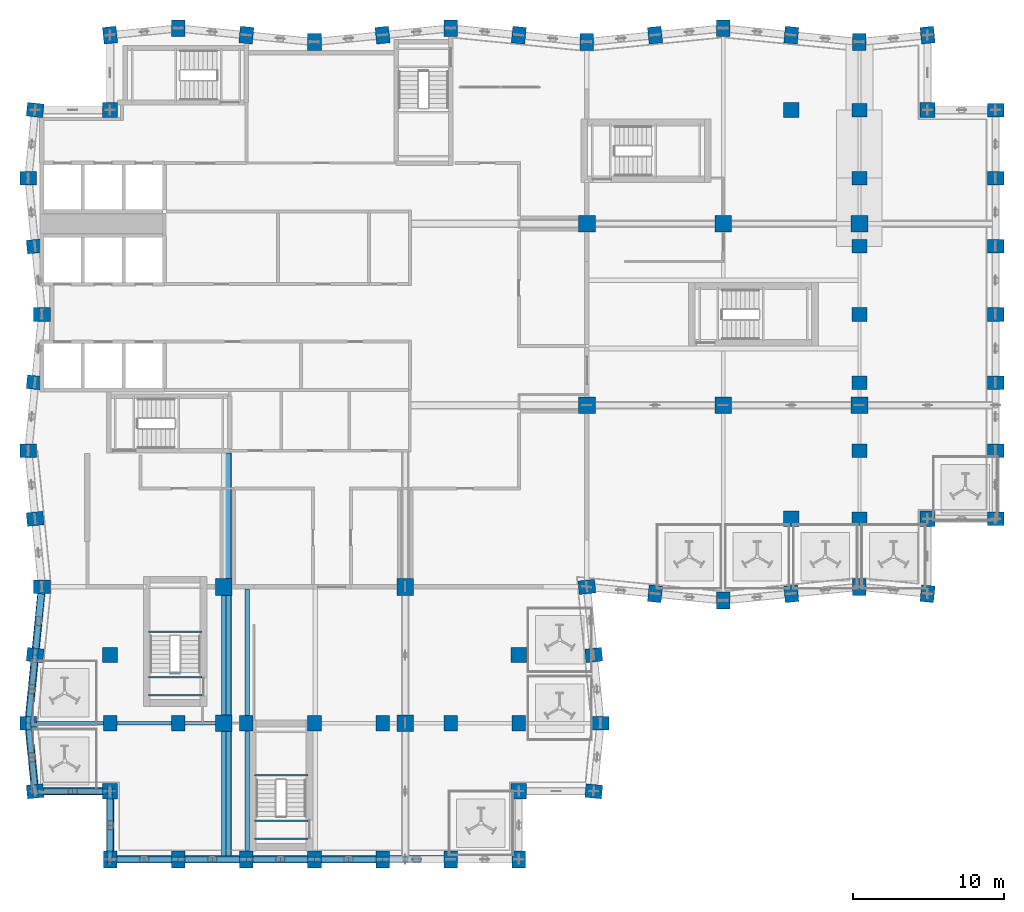
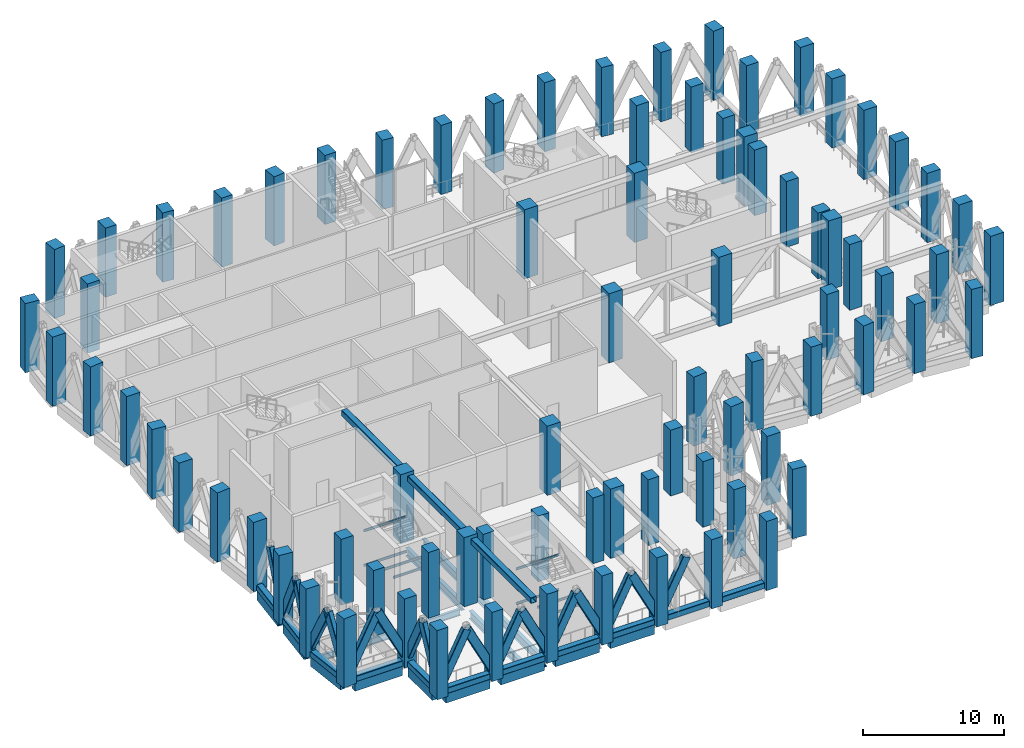
# One storey, part 1 of 28: 80 columns, 24 members, 21 beams.
"""IFC4 building model written with IfcOpenShell, lengths in metres."""

from ifc_helpers import new_model, si_unit, direction, frame, origin, origin_2d, place, context, subcontext, project, spatial, rectangle, hollow_rectangle, i_section, extrude, material, material_profile, profile_set, type_object, element, save


model = new_model("IFC4")

# Units and contexts
model_context = context("Model", 3, precision=1e-05, world=origin(), true_north=direction((0.0, 1.0)))
body_context = subcontext(model_context, "Body", "Model", "MODEL_VIEW")
ifc_project = project(units=[si_unit("LENGTHUNIT", "METRE"), si_unit("AREAUNIT", "SQUARE_METRE"), si_unit("VOLUMEUNIT", "CUBIC_METRE"), si_unit("PLANEANGLEUNIT", "RADIAN"), si_unit("MASSUNIT", "GRAM", prefix="KILO")], contexts=[model_context])

# Site, building, storey
site_placement = place(None, origin())
site = spatial("IfcSite", under=ifc_project, at=site_placement, CompositionType="ELEMENT")
building_placement = place(site_placement, origin())
building = spatial("IfcBuilding", under=site, at=building_placement, Name="Brondeck Convention Tower", CompositionType="ELEMENT")
storey_placement = place(building_placement, frame((0.0, 0.0, 192.800048828125)))
storey = spatial("IfcBuildingStorey", under=building, at=storey_placement, Name="L47", CompositionType="ELEMENT", Elevation=192.800048828125)

# Columns
ifc_material_1 = material(Name="Concrete C70/85", Category="concrete")
ifc_material_profile_1 = material_profile(ifc_material_1, rectangle(XDim=1.0, YDim=1.0, at=origin_2d()), Name="Corner column 1000x1000 Concrete C70/85")
ifc_profile_set_1 = profile_set([ifc_material_profile_1], Name="Concrete C70/85")
column_type_1 = type_object("IfcColumnType", Name="Corner column 1000x1000 Concrete C70/85", PredefinedType="COLUMN", material=ifc_profile_set_1)
for number, where, z_axis, x_axis, name in (
    (1, (4.5, 13.5, 0.0), (0.0, 0.0, 1.0), (1.0, 0.0, 0.0), "STR-COL-L47-NC-SWB9"),
    (2, (31.5, 13.5, 0.0), (0.0, 0.0, 1.0), (1.0, 0.0, 0.0), "STR-COL-L47-NC-SEB9"),
    (3, (58.5, 31.5, 0.0), (0.0, 0.0, 1.0), (1.0, 0.0, 0.0), "STR-COL-L47-NC-SEA63"),
    (4, (58.5, 58.5, 0.0), (0.0, 0.0, 1.0), (1.0, 0.0, 0.0), "STR-COL-L47-NC-NEA63"),
    (5, (4.5, 58.5, 0.0), (0.0, 0.0, 1.0), (1.0, 0.0, 0.0), "STR-COL-L47-NC-NW"),
):
    element("IfcColumn", number, at=place(storey_placement, frame(where, z_axis=z_axis, x_axis=x_axis)), inside=storey, type_object=column_type_1, Name=name, PredefinedType="COLUMN", context=body_context, shape_type="SweptSolid", body=[
        extrude(rectangle(XDim=1.0, YDim=1.0, at=origin_2d()), origin(), (0.0, 0.0, 1.0), 6.0),
    ])
ifc_material_profile_2 = material_profile(ifc_material_1, rectangle(XDim=1.10009765625, YDim=1.10009765625, at=origin_2d()), Name="Interior column 1100x1100 Concrete C70/85")
ifc_profile_set_2 = profile_set([ifc_material_profile_2], Name="Concrete C70/85")
column_type_2 = type_object("IfcColumnType", Name="Interior column 1100x1100 Concrete C70/85", PredefinedType="COLUMN", material=ifc_profile_set_2)
for number, where, z_axis, x_axis, name in (
    (6, (12.0, 18.0, 0.0), (0.0, 0.0, 1.0), (1.0, 0.0, 0.0), "STR-COL-L47-IC-02"),
    (7, (12.0, 27.0, 0.0), (0.0, 0.0, 1.0), (1.0, 0.0, 0.0), "STR-COL-L47-IC-03"),
    (8, (24.0, 18.0, 0.0), (0.0, 0.0, 1.0), (1.0, 0.0, 0.0), "STR-COL-L47-IC-05"),
    (9, (24.0, 27.0, 0.0), (0.0, 0.0, 1.0), (1.0, 0.0, 0.0), "STR-COL-L47-IC-06"),
    (10, (36.0, 39.0, 0.0), (0.0, 0.0, 1.0), (1.0, 0.0, 0.0), "STR-COL-L47-IC-07"),
    (11, (36.0, 51.0, 0.0), (0.0, 0.0, 1.0), (1.0, 0.0, 0.0), "STR-COL-L47-IC-08"),
    (12, (45.0, 39.0, 0.0), (0.0, 0.0, 1.0), (1.0, 0.0, 0.0), "STR-COL-L47-IC-09"),
    (13, (45.0, 51.0, 0.0), (0.0, 0.0, 1.0), (1.0, 0.0, 0.0), "STR-COL-L47-IC-10"),
    (14, (54.0, 39.0, 0.0), (0.0, 0.0, 1.0), (1.0, 0.0, 0.0), "STR-COL-L47-IC-11"),
    (15, (54.0, 51.0, 0.0), (0.0, 0.0, 1.0), (1.0, 0.0, 0.0), "STR-COL-L47-IC-12"),
):
    element("IfcColumn", number, at=place(storey_placement, frame(where, z_axis=z_axis, x_axis=x_axis)), inside=storey, type_object=column_type_2, Name=name, PredefinedType="COLUMN", context=body_context, shape_type="SweptSolid", body=[
        extrude(rectangle(XDim=1.10009765625, YDim=1.10009765625, at=origin_2d()), origin(), (0.0, 0.0, 1.0), 6.0),
    ])
ifc_material_profile_3 = material_profile(ifc_material_1, rectangle(XDim=1.0, YDim=1.0, at=origin_2d()), Name="Perimeter pier 1000x1000 Concrete C70/85")
ifc_profile_set_3 = profile_set([ifc_material_profile_3], Name="Concrete C70/85")
column_type_3 = type_object("IfcColumnType", Name="Perimeter pier 1000x1000 Concrete C70/85", PredefinedType="COLUMN", material=ifc_profile_set_3)
for number, where, z_axis, x_axis, name in (
    (16, (4.5, 22.5, 0.0), (0.0, 0.0, 1.0), (1.0, 0.0, 0.0), "Transfer post L47-20"),
    (17, (31.5, 22.5, 0.0), (0.0, 0.0, 1.0), (1.0, 0.0, 0.0), "Transfer post L47-27"),
    (18, (49.5, 31.5, 0.0), (0.0, 0.0, 1.0), (1.0, 0.0, 0.0), "Transfer post L47-28"),
    (19, (49.5, 58.5, 0.0), (0.0, 0.0, 1.0), (1.0, 0.0, 0.0), "Transfer post L47-29"),
):
    element("IfcColumn", number, at=place(storey_placement, frame(where, z_axis=z_axis, x_axis=x_axis)), inside=storey, type_object=column_type_3, Name=name, PredefinedType="COLUMN", context=body_context, shape_type="SweptSolid", body=[
        extrude(rectangle(XDim=1.0, YDim=1.0, at=origin_2d()), origin(), (0.0, 0.0, 1.0), 5.699951171875),
    ])
ifc_material_profile_4 = material_profile(ifc_material_1, rectangle(XDim=0.89990234375, YDim=1.0, at=origin_2d()), Name="Perimeter pier 900x1000 Concrete C70/85")
ifc_profile_set_4 = profile_set([ifc_material_profile_4], Name="Concrete C70/85")
column_type_4 = type_object("IfcColumnType", Name="Perimeter pier 900x1000 Concrete C70/85", PredefinedType="COLUMN", material=ifc_profile_set_4)
for number, where, z_axis, x_axis, name in (
    (20, (4.5, 18.0, 0.0), (0.0, 0.0, 1.0), (1.0, 0.0, 0.0), "Transfer post L47-19"),
    (21, (9.0, 18.0, 0.0), (0.0, 0.0, 1.0), (1.0, 0.0, 0.0), "Transfer post L47-21"),
    (22, (13.5, 18.0, 0.0), (0.0, 0.0, 1.0), (1.0, 0.0, 0.0), "Transfer post L47-22"),
    (23, (18.0, 18.0, 0.0), (0.0, 0.0, 1.0), (1.0, 0.0, 0.0), "Transfer post L47-23"),
    (24, (22.5, 18.0, 0.0), (0.0, 0.0, 1.0), (1.0, 0.0, 0.0), "Transfer post L47-24"),
    (25, (27.0, 18.0, 0.0), (0.0, 0.0, 1.0), (1.0, 0.0, 0.0), "Transfer post L47-25"),
    (26, (31.5, 18.0, 0.0), (0.0, 0.0, 1.0), (1.0, 0.0, 0.0), "Transfer post L47-26"),
    (27, (54.0, 31.5, 0.0), (0.0, 0.0, 1.0), (0.0, 1.0, 0.0), "Transfer post L47-30"),
    (28, (54.0, 36.0, 0.0), (0.0, 0.0, 1.0), (0.0, 1.0, 0.0), "Transfer post L47-31"),
    (29, (54.0, 40.5, 0.0), (0.0, 0.0, 1.0), (0.0, 1.0, 0.0), "Transfer post L47-32"),
    (30, (54.0, 45.0, 0.0), (0.0, 0.0, 1.0), (0.0, 1.0, 0.0), "Transfer post L47-33"),
    (31, (54.0, 49.5, 0.0), (0.0, 0.0, 1.0), (0.0, 1.0, 0.0), "Transfer post L47-34"),
    (32, (54.0, 54.0, 0.0), (0.0, 0.0, 1.0), (0.0, 1.0, 0.0), "Transfer post L47-35"),
    (33, (54.0, 58.5, 0.0), (0.0, 0.0, 1.0), (0.0, 1.0, 0.0), "Transfer post L47-36"),
):
    element("IfcColumn", number, at=place(storey_placement, frame(where, z_axis=z_axis, x_axis=x_axis)), inside=storey, type_object=column_type_4, Name=name, PredefinedType="COLUMN", context=body_context, shape_type="SweptSolid", body=[
        extrude(rectangle(XDim=0.89990234375, YDim=1.0, at=origin_2d()), origin(), (0.0, 0.0, 1.0), 5.699951171875),
    ])
ifc_material_profile_5 = material_profile(ifc_material_1, rectangle(XDim=0.89990234375, YDim=1.10009765625, at=origin_2d()), Name="Perimeter pier 900x1100 Concrete C70/85")
ifc_profile_set_5 = profile_set([ifc_material_profile_5], Name="Concrete C70/85")
column_type_5 = type_object("IfcColumnType", Name="Perimeter pier 900x1100 Concrete C70/85", PredefinedType="COLUMN", material=ifc_profile_set_5)
for number, where, z_axis, x_axis, name in (
    (34, (4.5, 9.0, 0.0), (0.0, 0.0, 1.0), (1.0, 0.0, 0.0), "STR-COL-L47-PC-B-S9-01"),
    (35, (9.0, 9.0, 0.0), (0.0, 0.0, 1.0), (1.0, 0.0, 0.0), "STR-COL-L47-PC-B-S9-02"),
    (36, (13.5, 9.0, 0.0), (0.0, 0.0, 1.0), (1.0, 0.0, 0.0), "STR-COL-L47-PC-B-S9-03"),
    (37, (18.0, 9.0, 0.0), (0.0, 0.0, 1.0), (1.0, 0.0, 0.0), "STR-COL-L47-PC-B-S9-04"),
    (38, (22.5, 9.0, 0.0), (0.0, 0.0, 1.0), (1.0, 0.0, 0.0), "STR-COL-L47-PC-B-S9-05"),
    (39, (27.0, 9.0, 0.0), (0.0, 0.0, 1.0), (1.0, 0.0, 0.0), "STR-COL-L47-PC-B-S9-06"),
    (40, (31.5, 9.0, 0.0), (0.0, 0.0, 1.0), (1.0, 0.0, 0.0), "STR-COL-L47-PC-B-S9-07"),
    (41, (36.449951171875, 13.5, 0.0), (0.0, 0.0, 1.0), (0.0995038382, 0.995037178292, 0.0), "STR-COL-L47-PC-B-E-03"),
    (42, (36.89990234375, 18.0, 0.0), (0.0, 0.0, 1.0), (0.0, 1.0, 0.0), "STR-COL-L47-PC-B-E-02"),
    (43, (36.449951171875, 22.5, 0.0), (0.0, 0.0, 1.0), (-0.0995038382, 0.995037178292, 0.0), "STR-COL-L47-PC-B-E-01"),
    (44, (36.0, 27.0, 0.0), (0.0, 0.0, 1.0), (-0.0995038382, 0.995037178292, 0.0), "STR-COL-L47-PC-B-E-00"),
    (45, (40.5, 26.550048828125, 0.0), (0.0, 0.0, 1.0), (0.995037178292, -0.0995038382, 0.0), "STR-COL-L47-PC-A-S-01"),
    (46, (45.0, 26.10009765625, 0.0), (0.0, 0.0, 1.0), (1.0, 0.0, 0.0), "STR-COL-L47-PC-A-S-02"),
    (47, (49.5, 26.550048828125, 0.0), (0.0, 0.0, 1.0), (0.995037178292, 0.0995038382, 0.0), "STR-COL-L47-PC-A-S-03"),
    (48, (54.0, 27.0, 0.0), (0.0, 0.0, 1.0), (1.0, 0.0, 0.0), "STR-COL-L47-PC-A-S-04"),
    (49, (58.5, 26.550048828125, 0.0), (0.0, 0.0, 1.0), (0.995037178292, -0.0995038382, 0.0), "STR-COL-L47-PC-A-S-05"),
    (50, (63.0, 31.5, 0.0), (0.0, 0.0, 1.0), (0.0, 1.0, 0.0), "STR-COL-L47-PC-A-E63-01"),
    (51, (63.0, 36.0, 0.0), (0.0, 0.0, 1.0), (0.0, 1.0, 0.0), "STR-COL-L47-PC-A-E63-02"),
    (52, (63.0, 40.5, 0.0), (0.0, 0.0, 1.0), (0.0, 1.0, 0.0), "STR-COL-L47-PC-A-E63-03"),
    (53, (63.0, 45.0, 0.0), (0.0, 0.0, 1.0), (0.0, 1.0, 0.0), "STR-COL-L47-PC-A-E63-04"),
    (54, (63.0, 49.5, 0.0), (0.0, 0.0, 1.0), (0.0, 1.0, 0.0), "STR-COL-L47-PC-A-E63-05"),
    (55, (63.0, 54.0, 0.0), (0.0, 0.0, 1.0), (0.0, 1.0, 0.0), "STR-COL-L47-PC-A-E63-06"),
    (56, (63.0, 58.5, 0.0), (0.0, 0.0, 1.0), (0.0, 1.0, 0.0), "STR-COL-L47-PC-A-E63-07"),
    (57, (58.5, 63.449951171875, 0.0), (0.0, 0.0, 1.0), (-0.995037178292, -0.0995038382, 0.0), "STR-COL-L47-PC-A-N-13"),
    (58, (54.0, 63.0, 0.0), (0.0, 0.0, 1.0), (-1.0, 0.0, 0.0), "STR-COL-L47-PC-A-N-12"),
    (59, (49.5, 63.449951171875, 0.0), (0.0, 0.0, 1.0), (-0.995037178292, 0.0995038382, 0.0), "STR-COL-L47-PC-A-N-11"),
    (60, (45.0, 63.89990234375, 0.0), (0.0, 0.0, 1.0), (-1.0, 0.0, 0.0), "STR-COL-L47-PC-A-N-10"),
    (61, (40.5, 63.449951171875, 0.0), (0.0, 0.0, 1.0), (-0.995037178292, -0.0995038382, 0.0), "STR-COL-L47-PC-A-N-09"),
    (62, (36.0, 63.0, 0.0), (0.0, 0.0, 1.0), (-1.0, 0.0, 0.0), "STR-COL-L47-PC-A-N-08"),
    (63, (31.5, 63.449951171875, 0.0), (0.0, 0.0, 1.0), (-0.995037178292, 0.0995038382, 0.0), "STR-COL-L47-PC-A-N-07"),
    (64, (27.0, 63.89990234375, 0.0), (0.0, 0.0, 1.0), (-1.0, 0.0, 0.0), "STR-COL-L47-PC-A-N-06"),
    (65, (22.5, 63.449951171875, 0.0), (0.0, 0.0, 1.0), (-0.995037178292, -0.0995038382, 0.0), "STR-COL-L47-PC-A-N-05"),
    (66, (18.0, 63.0, 0.0), (0.0, 0.0, 1.0), (-1.0, 0.0, 0.0), "STR-COL-L47-PC-A-N-04"),
    (67, (13.5, 63.449951171875, 0.0), (0.0, 0.0, 1.0), (-0.995037178292, 0.0995038382, 0.0), "STR-COL-L47-PC-A-N-03"),
    (68, (9.0, 63.89990234375, 0.0), (0.0, 0.0, 1.0), (-1.0, 0.0, 0.0), "STR-COL-L47-PC-A-N-02"),
    (69, (4.5, 63.449951171875, 0.0), (0.0, 0.0, 1.0), (-0.995037178292, -0.0995038382, 0.0), "STR-COL-L47-PC-A-N-01"),
    (70, (-0.449951171875, 58.5, 0.0), (0.0, 0.0, 1.0), (-0.0995038382, -0.995037178292, 0.0), "STR-COL-L47-PC-B-W-01"),
    (71, (-0.89990234375, 54.0, 0.0), (0.0, 0.0, 1.0), (0.0, -1.0, 0.0), "STR-COL-L47-PC-B-W-02"),
    (72, (-0.449951171875, 49.5, 0.0), (0.0, 0.0, 1.0), (0.0995038382, -0.995037178292, 0.0), "STR-COL-L47-PC-B-W-03"),
    (73, (0.0, 45.0, 0.0), (0.0, 0.0, 1.0), (0.0, -1.0, 0.0), "STR-COL-L47-PC-B-W-04"),
    (74, (-0.449951171875, 40.5, 0.0), (0.0, 0.0, 1.0), (-0.0995038382, -0.995037178292, 0.0), "STR-COL-L47-PC-B-W-05"),
    (75, (-0.89990234375, 36.0, 0.0), (0.0, 0.0, 1.0), (0.0, -1.0, 0.0), "STR-COL-L47-PC-B-W-06"),
    (76, (-0.449951171875, 31.5, 0.0), (0.0, 0.0, 1.0), (0.0995038382, -0.995037178292, 0.0), "STR-COL-L47-PC-B-W-07"),
    (77, (0.0, 27.0, 0.0), (0.0, 0.0, 1.0), (0.0, -1.0, 0.0), "STR-COL-L47-PC-B-W-08"),
    (78, (-0.449951171875, 22.5, 0.0), (0.0, 0.0, 1.0), (-0.0995038382, -0.995037178292, 0.0), "STR-COL-L47-PC-B-W-09"),
    (79, (-0.89990234375, 18.0, 0.0), (0.0, 0.0, 1.0), (0.0, -1.0, 0.0), "STR-COL-L47-PC-B-W-10"),
    (80, (-0.449951171875, 13.5, 0.0), (0.0, 0.0, 1.0), (0.0995038382, -0.995037178292, 0.0), "STR-COL-L47-PC-B-W-11"),
):
    element("IfcColumn", number, at=place(storey_placement, frame(where, z_axis=z_axis, x_axis=x_axis)), inside=storey, type_object=column_type_5, Name=name, PredefinedType="COLUMN", context=body_context, shape_type="SweptSolid", body=[
        extrude(rectangle(XDim=0.89990234375, YDim=1.10009765625, at=origin_2d()), origin(), (0.0, 0.0, 1.0), 6.0),
    ])

# Members
ifc_material_2 = material(Name="Steel S460", Category="steel")
ifc_material_profile_6 = material_profile(ifc_material_2, hollow_rectangle(XDim=0.39990234375, YDim=0.699951171875, WallThickness=0.030029296875, InnerFilletRadius=0.030029296875, OuterFilletRadius=0.06005859375, at=origin_2d()), Name="RHS 700x400x30")
ifc_profile_set_6 = profile_set([ifc_material_profile_6], Name="Steel S460")
member_type_1 = type_object("IfcMemberType", Name="Chevron brace RHS 700x400x30", PredefinedType="BRACE", material=ifc_profile_set_6)
for number, where, z_axis, x_axis, name in (
    (81, (4.5, 9.0, 0.5), (0.453998837511, 0.0, 0.891002275832), (0.0, 1.0, 0.0), "Belt truss BT-47-1 diagonal"),
    (82, (9.0, 9.0, 0.5), (-0.453998837511, 0.0, 0.891002275832), (0.0, -1.0, 0.0), "Belt truss BT-47-1 diagonal"),
    (83, (9.0, 9.0, 0.5), (0.453998837511, 0.0, 0.891002275832), (0.0, 1.0, 0.0), "Belt truss BT-47-2 diagonal"),
    (84, (13.5, 9.0, 0.5), (-0.453998837511, 0.0, 0.891002275832), (0.0, -1.0, 0.0), "Belt truss BT-47-2 diagonal"),
    (85, (13.5, 9.0, 0.5), (0.453998837511, 0.0, 0.891002275832), (0.0, 1.0, 0.0), "Belt truss BT-47-3 diagonal"),
    (86, (18.0, 9.0, 0.5), (-0.453998837511, 0.0, 0.891002275832), (0.0, -1.0, 0.0), "Belt truss BT-47-3 diagonal"),
    (87, (18.0, 9.0, 0.5), (0.453998837511, 0.0, 0.891002275832), (0.0, 1.0, 0.0), "Belt truss BT-47-4 diagonal"),
    (88, (22.5, 9.0, 0.5), (-0.453998837511, 0.0, 0.891002275832), (0.0, -1.0, 0.0), "Belt truss BT-47-4 diagonal"),
    (89, (22.5, 9.0, 0.5), (0.453998837511, 0.0, 0.891002275832), (0.0, 1.0, 0.0), "Belt truss BT-47-5 diagonal"),
):
    element("IfcMember", number, at=place(storey_placement, frame(where, z_axis=z_axis, x_axis=x_axis)), inside=storey, type_object=member_type_1, Name=name, PredefinedType="BRACE", context=body_context, shape_type="SweptSolid", body=[
        extrude(hollow_rectangle(XDim=0.39990234375, YDim=0.699951171875, WallThickness=0.030029296875, InnerFilletRadius=0.030029296875, OuterFilletRadius=0.06005859375, at=origin_2d()), origin(), (0.0, 0.0, 1.0), 4.9560546875),
    ])
for number, where, z_axis, x_axis, name in (
    (90, (-0.449951171875, 22.5, 0.5), (0.045145636329, 0.451750471668, 0.891001337186), (-0.995043602151, 0.099439578731, 0.0), "Belt truss BT-47-48 diagonal"),
    (91, (-0.449951171875, 22.5, 0.5), (-0.045194554325, -0.451749471427, 0.89099936438), (0.995032913332, -0.099546478526, 0.0), "Belt truss BT-47-49 diagonal"),
    (92, (-0.89990234375, 18.0, 0.5), (0.045145636329, 0.451750471668, 0.891001337186), (-0.995043602151, 0.099439578731, 0.0), "Belt truss BT-47-49 diagonal"),
    (93, (-0.89990234375, 18.0, 0.5), (0.045145636329, -0.451750471668, 0.891001337186), (0.995043602151, 0.099439578731, 0.0), "Belt truss BT-47-50 diagonal"),
    (94, (-0.449951171875, 13.5, 0.5), (-0.045194554325, 0.451749471427, 0.89099936438), (-0.995032913332, -0.099546478526, 0.0), "Belt truss BT-47-50 diagonal"),
):
    element("IfcMember", number, at=place(storey_placement, frame(where, z_axis=z_axis, x_axis=x_axis)), inside=storey, type_object=member_type_1, Name=name, PredefinedType="BRACE", context=body_context, shape_type="SweptSolid", body=[
        extrude(hollow_rectangle(XDim=0.39990234375, YDim=0.699951171875, WallThickness=0.030029296875, InnerFilletRadius=0.030029296875, OuterFilletRadius=0.06005859375, at=origin_2d()), origin(), (0.0, 0.0, 1.0), 4.980712890625),
    ])
for number, where, z_axis, x_axis, name in (
    (95, (-0.449951171875, 13.5, 0.5), (0.454534235534, 0.0, 0.890729267919), (0.0, 1.0, 0.0), "Belt truss BT-47-51 diagonal"),
    (96, (4.5, 13.5, 0.5), (-0.454569809749, 0.0, 0.890711113698), (0.0, -1.0, 0.0), "Belt truss BT-47-51 diagonal"),
):
    element("IfcMember", number, at=place(storey_placement, frame(where, z_axis=z_axis, x_axis=x_axis)), inside=storey, type_object=member_type_1, Name=name, PredefinedType="BRACE", context=body_context, shape_type="SweptSolid", body=[
        extrude(hollow_rectangle(XDim=0.39990234375, YDim=0.699951171875, WallThickness=0.030029296875, InnerFilletRadius=0.030029296875, OuterFilletRadius=0.06005859375, at=origin_2d()), origin(), (0.0, 0.0, 1.0), 5.44482421875),
    ])
for number, where, z_axis, x_axis, name in (
    (97, (4.5, 13.5, 0.5), (0.0, -0.453998837511, 0.891002275832), (1.0, 0.0, 0.0), "Belt truss BT-47-52 diagonal"),
    (98, (4.5, 9.0, 0.5), (0.0, 0.453998837511, 0.891002275832), (-1.0, 0.0, 0.0), "Belt truss BT-47-52 diagonal"),
):
    element("IfcMember", number, at=place(storey_placement, frame(where, z_axis=z_axis, x_axis=x_axis)), inside=storey, type_object=member_type_1, Name=name, PredefinedType="BRACE", context=body_context, shape_type="SweptSolid", body=[
        extrude(hollow_rectangle(XDim=0.39990234375, YDim=0.699951171875, WallThickness=0.030029296875, InnerFilletRadius=0.030029296875, OuterFilletRadius=0.06005859375, at=origin_2d()), origin(), (0.0, 0.0, 1.0), 4.9560546875),
    ])

# Beams
ifc_material_3 = material(Name="Steel S355", Category="steel")
ifc_material_profile_7 = material_profile(ifc_material_3, i_section(OverallWidth=0.2099609375, OverallDepth=0.550048828125, WebThickness=0.010986328125, FlangeThickness=0.01708984375, FilletRadius=0.02392578125, at=origin_2d()), Name="IPE 550")
ifc_profile_set_7 = profile_set([ifc_material_profile_7], Name="Steel S355")
beam_type_1 = type_object("IfcBeamType", Name="Floor beam IPE 550", PredefinedType="BEAM", material=ifc_profile_set_7)
beam_1_placement = place(storey_placement, frame((-0.35009765625, 18.0, -0.72509765625), z_axis=(1.0, 0.0, 0.0), x_axis=(0.0, 1.0, 0.0)))
element("IfcBeam", 99, at=beam_1_placement, inside=storey, type_object=beam_type_1, Name="STR-FB-L47-006", PredefinedType="BEAM", context=body_context, shape_type="SweptSolid", body=[
    extrude(i_section(OverallWidth=0.2099609375, OverallDepth=0.550048828125, WebThickness=0.010986328125, FlangeThickness=0.01708984375, FilletRadius=0.02392578125, at=origin_2d()), origin(), (0.0, 0.0, 1.0), 11.800048828125),
])
ifc_material_profile_8 = material_profile(ifc_material_3, i_section(OverallWidth=0.300048828125, OverallDepth=0.699951171875, WebThickness=0.01708984375, FlangeThickness=0.031982421875, FilletRadius=0.027099609375, at=origin_2d()), Name="HEB 700")
ifc_profile_set_8 = profile_set([ifc_material_profile_8], Name="Steel S355")
beam_type_2 = type_object("IfcBeamType", Name="Girder HEB 700", PredefinedType="BEAM", material=ifc_profile_set_8)
beam_2_placement = place(storey_placement, frame((12.0, 26.449951171875, -0.800048828125), z_axis=(0.0, -1.0, 0.0), x_axis=(1.0, 0.0, 0.0)))
element("IfcBeam", 100, at=beam_2_placement, inside=storey, type_object=beam_type_2, Name="STR-GR-L47-012", PredefinedType="BEAM", context=body_context, shape_type="SweptSolid", body=[
    extrude(i_section(OverallWidth=0.300048828125, OverallDepth=0.699951171875, WebThickness=0.01708984375, FlangeThickness=0.031982421875, FilletRadius=0.027099609375, at=origin_2d()), origin(), (0.0, 0.0, 1.0), 7.89990234375),
])
beam_3_placement = place(storey_placement, frame((12.0, 17.449951171875, -0.800048828125), z_axis=(0.0, -1.0, 0.0), x_axis=(1.0, 0.0, 0.0)))
element("IfcBeam", 101, at=beam_3_placement, inside=storey, type_object=beam_type_2, Name="STR-GR-L47-013", PredefinedType="BEAM", context=body_context, shape_type="SweptSolid", body=[
    extrude(i_section(OverallWidth=0.300048828125, OverallDepth=0.699951171875, WebThickness=0.01708984375, FlangeThickness=0.031982421875, FilletRadius=0.027099609375, at=origin_2d()), origin(), (0.0, 0.0, 1.0), 8.224853515625),
])
beam_4_placement = place(storey_placement, frame((13.550048828125, 9.550048828125, -0.800048828125), z_axis=(0.0, 1.0, 0.0), x_axis=(-1.0, 0.0, 0.0)))
element("IfcBeam", 102, at=beam_4_placement, inside=storey, type_object=beam_type_2, Name="STR-GR-L47-022", PredefinedType="BEAM", context=body_context, shape_type="SweptSolid", body=[
    extrude(i_section(OverallWidth=0.300048828125, OverallDepth=0.699951171875, WebThickness=0.01708984375, FlangeThickness=0.031982421875, FilletRadius=0.027099609375, at=origin_2d()), origin(), (0.0, 0.0, 1.0), 17.300048828125),
])
ifc_material_profile_9 = material_profile(ifc_material_3, i_section(OverallWidth=0.10009765625, OverallDepth=0.199951171875, WebThickness=0.005615234375, FlangeThickness=0.008544921875, FilletRadius=0.011962890625, at=origin_2d()), Name="IPE200")
ifc_profile_set_9 = profile_set([ifc_material_profile_9], Name="Steel S355")
beam_type_3 = type_object("IfcBeamType", Name="Landing ledger beam IPE 200", PredefinedType="BEAM", material=ifc_profile_set_9)
for number, where, z_axis, x_axis, name in (
    (103, (10.570068359375, 24.050048828125, 1.14990234375), (-1.0, 0.0, 0.0), (0.0, -1.0, 0.0), "L47 ST-BE landing beam"),
    (104, (10.570068359375, 19.85009765625, 2.64990234375), (-1.0, 0.0, 0.0), (0.0, -1.0, 0.0), "L47 ST-BE landing beam"),
    (105, (10.570068359375, 21.050048828125, 2.64990234375), (-1.0, 0.0, 0.0), (0.0, -1.0, 0.0), "L47 ST-BE landing beam"),
    (106, (10.570068359375, 24.050048828125, 4.14990234375), (-1.0, 0.0, 0.0), (0.0, -1.0, 0.0), "L47 ST-BE landing beam"),
    (107, (17.570068359375, 14.550048828125, 1.14990234375), (-1.0, 0.0, 0.0), (0.0, -1.0, 0.0), "L47 ST-BF landing beam"),
    (108, (17.570068359375, 10.35009765625, 2.64990234375), (-1.0, 0.0, 0.0), (0.0, -1.0, 0.0), "L47 ST-BF landing beam"),
    (109, (17.570068359375, 11.550048828125, 2.64990234375), (-1.0, 0.0, 0.0), (0.0, -1.0, 0.0), "L47 ST-BF landing beam"),
    (110, (17.570068359375, 14.550048828125, 4.14990234375), (-1.0, 0.0, 0.0), (0.0, -1.0, 0.0), "L47 ST-BF landing beam"),
):
    element("IfcBeam", number, at=place(storey_placement, frame(where, z_axis=z_axis, x_axis=x_axis)), inside=storey, type_object=beam_type_3, Name=name, PredefinedType="BEAM", context=body_context, shape_type="SweptSolid", body=[
        extrude(i_section(OverallWidth=0.10009765625, OverallDepth=0.199951171875, WebThickness=0.005615234375, FlangeThickness=0.008544921875, FilletRadius=0.011962890625, at=origin_2d()), origin(), (0.0, 0.0, 1.0), 3.5400390625),
    ])
ifc_material_profile_10 = material_profile(ifc_material_1, rectangle(XDim=0.449951171875, YDim=0.800048828125, at=origin_2d()), Name="Precast spandrel 450x800 Concrete C70/85")
ifc_profile_set_10 = profile_set([ifc_material_profile_10], Name="Concrete C70/85")
beam_type_4 = type_object("IfcBeamType", Name="Precast spandrel 450x800 Concrete C70/85", PredefinedType="SPANDREL", material=ifc_profile_set_10)
for number, where, z_axis, x_axis, name in (
    (111, (4.949951171875, 9.0, -0.400146484375), (1.0, 0.0, 0.0), (0.0, 1.0, 0.0), "STR-SP-L47-001"),
    (112, (9.449951171875, 9.0, -0.400146484375), (1.0, 0.0, 0.0), (0.0, 1.0, 0.0), "STR-SP-L47-002"),
    (113, (13.949951171875, 9.0, -0.400146484375), (1.0, 0.0, 0.0), (0.0, 1.0, 0.0), "STR-SP-L47-003"),
    (114, (18.449951171875, 9.0, -0.400146484375), (1.0, 0.0, 0.0), (0.0, 1.0, 0.0), "STR-SP-L47-004"),
):
    element("IfcBeam", number, at=place(storey_placement, frame(where, z_axis=z_axis, x_axis=x_axis)), inside=storey, type_object=beam_type_4, Name=name, PredefinedType="SPANDREL", context=body_context, shape_type="SweptSolid", body=[
        extrude(rectangle(XDim=0.449951171875, YDim=0.800048828125, at=origin_2d()), origin(), (0.0, 0.0, 1.0), 3.60009765625),
    ])
for number, where, z_axis, x_axis, name in (
    (115, (-0.044921875, 26.550048828125, -0.400146484375), (-0.099537103649, -0.995033851182, 0.0), (0.995033851182, -0.099537103649, 0.0), "STR-SP-L47-048"),
    (116, (-0.494873046875, 22.05224609375, -0.400146484375), (-0.099470334057, -0.995040528141, 0.0), (0.995040528141, -0.099470334057, 0.0), "STR-SP-L47-049"),
    (117, (-0.85498046875, 17.550048828125, -0.400146484375), (0.099470334057, -0.995040528141, 0.0), (0.995040528141, 0.099470334057, 0.0), "STR-SP-L47-050"),
):
    element("IfcBeam", number, at=place(storey_placement, frame(where, z_axis=z_axis, x_axis=x_axis)), inside=storey, type_object=beam_type_4, Name=name, PredefinedType="SPANDREL", context=body_context, shape_type="SweptSolid", body=[
        extrude(rectangle(XDim=0.449951171875, YDim=0.800048828125, at=origin_2d()), origin(), (0.0, 0.0, 1.0), 3.620361328125),
    ])
beam_5_placement = place(storey_placement, frame((0.102783203125, 13.5, -0.400146484375), z_axis=(1.0, 0.0, 0.0), x_axis=(0.0, 1.0, 0.0)))
element("IfcBeam", 118, at=beam_5_placement, inside=storey, type_object=beam_type_4, Name="STR-SP-L47-051", PredefinedType="SPANDREL", context=body_context, shape_type="SweptSolid", body=[
    extrude(rectangle(XDim=0.449951171875, YDim=0.800048828125, at=origin_2d()), origin(), (0.0, 0.0, 1.0), 3.897216796875),
])
beam_6_placement = place(storey_placement, frame((4.5, 13.0, -0.400146484375), z_axis=(0.0, -1.0, 0.0), x_axis=(1.0, 0.0, 0.0)))
element("IfcBeam", 119, at=beam_6_placement, inside=storey, type_object=beam_type_4, Name="STR-SP-L47-052", PredefinedType="SPANDREL", context=body_context, shape_type="SweptSolid", body=[
    extrude(rectangle(XDim=0.449951171875, YDim=0.800048828125, at=origin_2d()), origin(), (0.0, 0.0, 1.0), 3.449951171875),
])

# Members
ifc_material_profile_11 = material_profile(ifc_material_2, hollow_rectangle(XDim=0.5, YDim=0.5, WallThickness=0.02490234375, InnerFilletRadius=0.02490234375, OuterFilletRadius=0.050048828125, at=origin_2d()), Name="RHS 500x500x25")
ifc_profile_set_11 = profile_set([ifc_material_profile_11], Name="Steel S460")
member_type_2 = type_object("IfcMemberType", Name="Truss chord RHS 500x500x25", PredefinedType="CHORD", material=ifc_profile_set_11)
member_1_placement = place(storey_placement, frame((4.5, 9.0, 0.25), z_axis=(1.0, 0.0, 0.0), x_axis=(0.0, 1.0, 0.0)))
element("IfcMember", 120, at=member_1_placement, inside=storey, type_object=member_type_2, Name="Belt truss BT-47-1 chord", PredefinedType="CHORD", context=body_context, shape_type="SweptSolid", body=[
    extrude(hollow_rectangle(XDim=0.5, YDim=0.5, WallThickness=0.02490234375, InnerFilletRadius=0.02490234375, OuterFilletRadius=0.050048828125, at=origin_2d()), origin(), (0.0, 0.0, 1.0), 27.0),
])
member_2_placement = place(storey_placement, frame((0.0, 27.0, 0.25), z_axis=(-0.099493029059, -0.995038259148, 0.0), x_axis=(0.995038259148, -0.099493029059, 0.0)))
element("IfcMember", 121, at=member_2_placement, inside=storey, type_object=member_type_2, Name="Belt truss BT-47-27 chord", PredefinedType="CHORD", context=body_context, shape_type="SweptSolid", body=[
    extrude(hollow_rectangle(XDim=0.5, YDim=0.5, WallThickness=0.02490234375, InnerFilletRadius=0.02490234375, OuterFilletRadius=0.050048828125, at=origin_2d()), origin(), (0.0, 0.0, 1.0), 9.044921875),
])
member_3_placement = place(storey_placement, frame((-0.89990234375, 18.0, 0.25), z_axis=(0.099493029059, -0.995038259148, 0.0), x_axis=(0.995038259148, 0.099493029059, 0.0)))
element("IfcMember", 122, at=member_3_placement, inside=storey, type_object=member_type_2, Name="Belt truss BT-47-28 chord", PredefinedType="CHORD", context=body_context, shape_type="SweptSolid", body=[
    extrude(hollow_rectangle(XDim=0.5, YDim=0.5, WallThickness=0.02490234375, InnerFilletRadius=0.02490234375, OuterFilletRadius=0.050048828125, at=origin_2d()), origin(), (0.0, 0.0, 1.0), 4.5224609375),
])
member_4_placement = place(storey_placement, frame((-0.449951171875, 13.5, 0.25), z_axis=(1.0, 0.0, 0.0), x_axis=(0.0, 1.0, 0.0)))
element("IfcMember", 123, at=member_4_placement, inside=storey, type_object=member_type_2, Name="Belt truss BT-47-29 chord", PredefinedType="CHORD", context=body_context, shape_type="SweptSolid", body=[
    extrude(hollow_rectangle(XDim=0.5, YDim=0.5, WallThickness=0.02490234375, InnerFilletRadius=0.02490234375, OuterFilletRadius=0.050048828125, at=origin_2d()), origin(), (0.0, 0.0, 1.0), 4.949951171875),
])
member_5_placement = place(storey_placement, frame((4.5, 13.5, 0.25), z_axis=(0.0, -1.0, 0.0), x_axis=(1.0, 0.0, 0.0)))
element("IfcMember", 124, at=member_5_placement, inside=storey, type_object=member_type_2, Name="Belt truss BT-47-30 chord", PredefinedType="CHORD", context=body_context, shape_type="SweptSolid", body=[
    extrude(hollow_rectangle(XDim=0.5, YDim=0.5, WallThickness=0.02490234375, InnerFilletRadius=0.02490234375, OuterFilletRadius=0.050048828125, at=origin_2d()), origin(), (0.0, 0.0, 1.0), 4.5),
])
member_6_placement = place(storey_placement, frame((12.27001953125, 35.85009765625, 5.449951171875), z_axis=(0.0, -1.0, 0.0), x_axis=(1.0, 0.0, 0.0)))
element("IfcMember", 125, at=member_6_placement, inside=storey, type_object=member_type_2, Name="Outrigger truss OT-47-B1 chord", PredefinedType="CHORD", context=body_context, shape_type="SweptSolid", body=[
    extrude(hollow_rectangle(XDim=0.5, YDim=0.5, WallThickness=0.02490234375, InnerFilletRadius=0.02490234375, OuterFilletRadius=0.050048828125, at=origin_2d()), origin(), (0.0, 0.0, 1.0), 26.85009765625),
])

save(model, "model.ifc")
